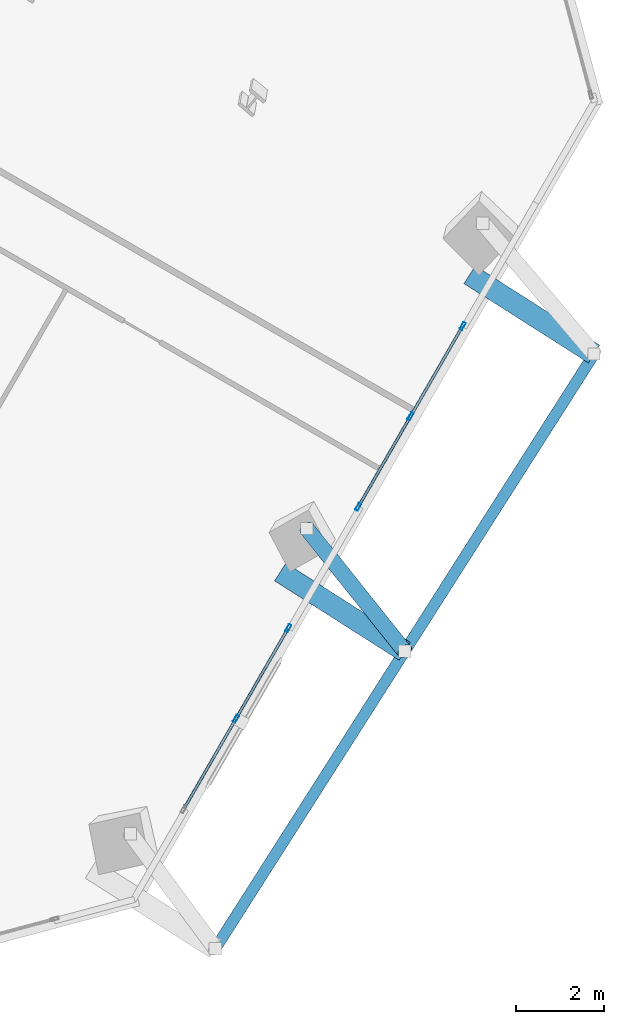
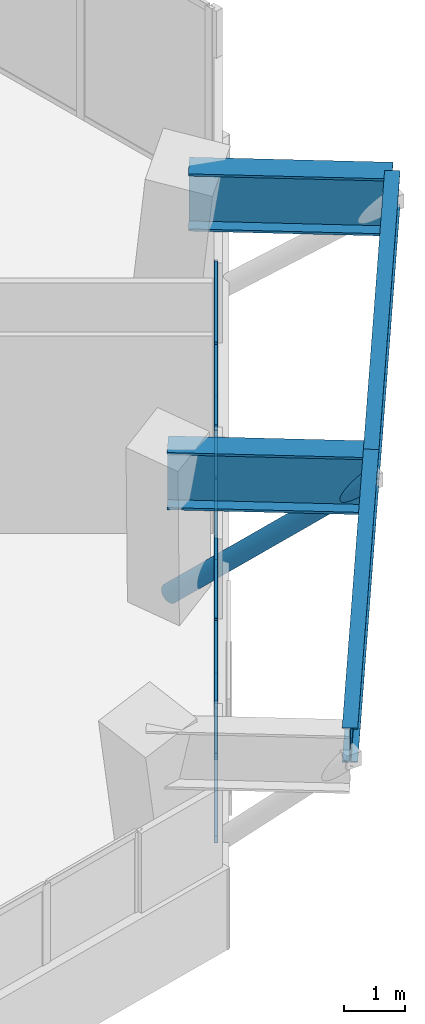
# One storey, part 9 of 22: 14 members, 4 beams, 2 elements without a shape of their own.
"""IFC4 building model written with IfcOpenShell, lengths in metres."""

from ifc_helpers import new_model, si_unit, direction, frame, origin, origin_2d, place, context, subcontext, project, spatial, hollow_rectangle, hollow_circle, i_section, extrude, source, transform, mapped, material, material_profile, profile_set, type_object, element, aggregate, save


model = new_model("IFC4")

# Units and contexts
model_context = context("Model", 3, precision=1e-05, world=origin(), true_north=direction((0.0, 1.0)))
body_context = subcontext(model_context, "Body", "Model", "MODEL_VIEW")
ifc_project = project(units=[si_unit("LENGTHUNIT", "METRE"), si_unit("AREAUNIT", "SQUARE_METRE"), si_unit("VOLUMEUNIT", "CUBIC_METRE"), si_unit("PLANEANGLEUNIT", "RADIAN"), si_unit("MASSUNIT", "GRAM", prefix="KILO")], contexts=[model_context])

# Site, building, storey
site_placement = place(None, origin())
site = spatial("IfcSite", under=ifc_project, at=site_placement, CompositionType="ELEMENT")
building_placement = place(site_placement, origin())
building = spatial("IfcBuilding", under=site, at=building_placement, Name="Torre Montelarca", CompositionType="ELEMENT")
storey_placement = place(building_placement, frame((0.0, 0.0, 183.39990234375)))
storey = spatial("IfcBuildingStorey", under=building, at=storey_placement, Name="L41", CompositionType="ELEMENT", Elevation=183.39990234375)

# Member
ifc_material_1 = material(Name="Steel ASTM A500 Grade C", Category="steel")
ifc_material_profile_1 = material_profile(ifc_material_1, hollow_circle(Radius=0.177734375, WallThickness=0.015869140625, at=origin_2d()), Name="HSS355.6X15.9", Category="steel")
ifc_profile_set_1 = profile_set([ifc_material_profile_1], Name="Steel ASTM A500 Grade C")
member_type_1 = type_object("IfcMemberType", Name="MB-BR-CHS356-EXT", PredefinedType="BRACE", material=ifc_profile_set_1)
shared_shape_1 = source(origin(), body_context, "Body", "SweptSolid", [
    extrude(hollow_circle(Radius=0.177734375, WallThickness=0.015869140625, at=origin_2d()), origin(), (0.0, 0.0, 1.0), 4.81591796875),
])
member_1_placement = place(storey_placement, frame((44.44970703125, 18.75, 0.150146484375), z_axis=(0.462138251593, -0.578990891997, 0.67171257499), x_axis=(0.781562662247, 0.623826742759, 0.0)))
element("IfcMember", 1, at=member_1_placement, inside=storey, type_object=member_type_1, Name="L42 Sliding Tray Exterior Diagonal Raker Strut E2", PredefinedType="BRACE", context=body_context, shape_type="MappedRepresentation", body=[
    mapped(shared_shape_1, transform((0.0, 0.0, 0.0), scale=1.0)),
])

# Beams
ifc_material_2 = material(Name="Steel ASTM A572 Grade 50", Category="steel")
ifc_material_profile_2 = material_profile(ifc_material_2, i_section(OverallWidth=0.47998046875, OverallDepth=1.14990234375, WebThickness=0.02197265625, FlangeThickness=0.044921875, at=origin_2d()), Name="PG1150X480X22X45", Category="steel")
ifc_profile_set_2 = profile_set([ifc_material_profile_2], Name="Steel ASTM A572 Grade 50")
beam_type_1 = type_object("IfcBeamType", Name="BM-CG-PG1400-EXT", PredefinedType="USERDEFINED", material=ifc_profile_set_2)
shared_shape_2 = source(origin(), body_context, "Body", "SweptSolid", [
    extrude(i_section(OverallWidth=0.47998046875, OverallDepth=1.14990234375, WebThickness=0.02197265625, FlangeThickness=0.044921875, at=origin_2d()), origin(), (0.0, 0.0, 1.0), 3.35009765625),
])
for number, where, z_axis, x_axis, name in (
    (2, (43.849853515625, 17.76171875, 3.385009765625), (0.843385307587, -0.537309243311, 0.0), (0.537309243311, 0.843385307587, 0.0), "L41 Sliding Tray Cantilever Girder East Y=32m (FLR)"),
    (3, (48.148193359375, 24.5087890625, 3.385009765625), (0.843385307587, -0.537309243311, 0.0), (0.537309243311, 0.843385307587, 0.0), "L41 Sliding Tray Cantilever Girder East Y=40m (FLR)"),
):
    element("IfcBeam", number, at=place(storey_placement, frame(where, z_axis=z_axis, x_axis=x_axis)), inside=storey, type_object=beam_type_1, Name=name, ObjectType="CANTILEVER GIRDER", PredefinedType="USERDEFINED", context=body_context, shape_type="MappedRepresentation", body=[
        mapped(shared_shape_2, transform((0.0, 0.0, 0.0), scale=1.0)),
    ])
ifc_material_3 = material(Name="Steel ASTM A992 Grade 50", Category="steel")
ifc_material_profile_3 = material_profile(ifc_material_3, i_section(OverallWidth=0.256103515625, OverallDepth=0.693115234375, WebThickness=0.014404296875, FlangeThickness=0.023681640625, FilletRadius=0.01806640625, at=origin_2d()), Name="W690X170", Category="steel")
ifc_profile_set_3 = profile_set([ifc_material_profile_3], Name="Steel ASTM A992 Grade 50")
beam_type_2 = type_object("IfcBeamType", Name="BM-G-W690-EXT", PredefinedType="BEAM", material=ifc_profile_set_3)
shared_shape_3 = source(origin(), body_context, "Body", "SweptSolid", [
    extrude(i_section(OverallWidth=0.256103515625, OverallDepth=0.693115234375, WebThickness=0.014404296875, FlangeThickness=0.023681640625, FilletRadius=0.01806640625, at=origin_2d()), origin(), (0.0, 0.0, 1.0), 8.0),
])
for number, where, z_axis, x_axis, name in (
    (4, (42.376708984375, 9.214599609375, 3.614013671875), (0.537319715065, 0.843378636084, 0.0), (-0.843378636084, 0.537319715065, 0.0), "L41 Sliding Tray Edge Girder East 24-32m (FLR)"),
    (5, (46.67529296875, 15.961669921875, 3.614013671875), (0.537298007891, 0.843392465414, 0.0), (-0.843392465414, 0.537298007891, 0.0), "L41 Sliding Tray Edge Girder East 32-40m (FLR)"),
):
    element("IfcBeam", number, at=place(storey_placement, frame(where, z_axis=z_axis, x_axis=x_axis)), inside=storey, type_object=beam_type_2, Name=name, PredefinedType="BEAM", context=body_context, shape_type="MappedRepresentation", body=[
        mapped(shared_shape_3, transform((0.0, 0.0, 0.0), scale=1.0)),
    ])

# Curtain wall, members
ifc_material_4 = material(Name="Insulated low-E laminated glass", Category="glass")
curtain_wall_type = type_object("IfcCurtainWallType", Name="CW-SYS-Z2", PredefinedType="USERDEFINED", material=ifc_material_4)
curtain_wall_1_placement = place(storey_placement, origin())
curtain_wall_1 = element("IfcCurtainWall", 6, at=curtain_wall_1_placement, inside=storey, type_object=curtain_wall_type, Name="L41 Curtain Wall Run CW-T3-L41-E06-B1", ObjectType="UNITISED GLAZING", PredefinedType="USERDEFINED")
ifc_material_5 = material(Name="Anodised aluminium AA 6063-T6", Category="aluminium")
ifc_material_profile_4 = material_profile(ifc_material_5, hollow_rectangle(XDim=0.06494140625, YDim=0.179931640625, WallThickness=0.00390625, InnerFilletRadius=0.00390625, OuterFilletRadius=0.008056640625, at=origin_2d()), Name="ALU65X180X4", Category="aluminium")
ifc_profile_set_4 = profile_set([ifc_material_profile_4], Name="Anodised aluminium AA 6063-T6")
member_type_2 = type_object("IfcMemberType", Name="CWM-ALU180", PredefinedType="MULLION", material=ifc_profile_set_4)
shared_shape_4 = source(origin(), body_context, "Body", "SweptSolid", [
    extrude(hollow_rectangle(XDim=0.06494140625, YDim=0.179931640625, WallThickness=0.00390625, InnerFilletRadius=0.00390625, OuterFilletRadius=0.008056640625, at=origin_2d()), origin(), (0.0, 0.0, 1.0), 2.775146484375),
])
member_2_placement = place(storey_placement, frame((42.84619140625, 14.432861328125, 0.0), z_axis=(0.0, 0.0, 1.0), x_axis=(-0.866020757794, 0.500008047005, 0.0)))
member_2 = element("IfcMember", 7, at=member_2_placement, type_object=member_type_2, Name="CW mullion 2", PredefinedType="MULLION", context=body_context, shape_type="MappedRepresentation", body=[
    mapped(shared_shape_4, transform((0.0, 0.0, 0.0), scale=1.0)),
])
member_3_placement = place(storey_placement, frame((44.032470703125, 16.487060546875, 0.0), z_axis=(0.0, 0.0, 1.0), x_axis=(-0.866020757794, 0.500008047005, 0.0)))
member_3 = element("IfcMember", 8, at=member_3_placement, type_object=member_type_2, Name="CW mullion 3", PredefinedType="MULLION", context=body_context, shape_type="MappedRepresentation", body=[
    mapped(shared_shape_4, transform((0.0, 0.0, 0.0), scale=1.0)),
])

curtain_wall_2_placement = place(storey_placement, origin())
curtain_wall_2 = element("IfcCurtainWall", 9, at=curtain_wall_2_placement, inside=storey, type_object=curtain_wall_type, Name="L41 Curtain Wall Run CW-T3-L41-E06-B2", ObjectType="UNITISED GLAZING", PredefinedType="USERDEFINED")
member_4_placement = place(storey_placement, frame((45.622802734375, 19.241943359375, 0.0), z_axis=(0.0, 0.0, 1.0), x_axis=(-0.866028820761, 0.499994081576, 0.0)))
member_4 = element("IfcMember", 10, at=member_4_placement, type_object=member_type_2, Name="CW mullion 1", PredefinedType="MULLION", context=body_context, shape_type="MappedRepresentation", body=[
    mapped(shared_shape_4, transform((0.0, 0.0, 0.0), scale=1.0)),
])
member_5_placement = place(storey_placement, frame((46.806884765625, 21.292724609375, 0.0), z_axis=(0.0, 0.0, 1.0), x_axis=(-0.866028820761, 0.499994081576, 0.0)))
member_5 = element("IfcMember", 11, at=member_5_placement, type_object=member_type_2, Name="CW mullion 2", PredefinedType="MULLION", context=body_context, shape_type="MappedRepresentation", body=[
    mapped(shared_shape_4, transform((0.0, 0.0, 0.0), scale=1.0)),
])
member_6_placement = place(storey_placement, frame((47.990966796875, 23.34375, 0.0), z_axis=(0.0, 0.0, 1.0), x_axis=(-0.866028820761, 0.499994081576, 0.0)))
member_6 = element("IfcMember", 12, at=member_6_placement, type_object=member_type_2, Name="CW mullion 3", PredefinedType="MULLION", context=body_context, shape_type="MappedRepresentation", body=[
    mapped(shared_shape_4, transform((0.0, 0.0, 0.0), scale=1.0)),
])

# Member
ifc_material_profile_5 = material_profile(ifc_material_5, hollow_rectangle(XDim=0.06494140625, YDim=0.139892578125, WallThickness=0.00390625, InnerFilletRadius=0.00390625, OuterFilletRadius=0.008056640625, at=origin_2d()), Name="ALU65X140X4", Category="aluminium")
ifc_profile_set_5 = profile_set([ifc_material_profile_5], Name="Anodised aluminium AA 6063-T6")
member_type_3 = type_object("IfcMemberType", Name="CWT-ALU140", PredefinedType="USERDEFINED", material=ifc_profile_set_5)
shared_shape_5 = source(origin(), body_context, "Body", "SweptSolid", [
    extrude(hollow_rectangle(XDim=0.06494140625, YDim=0.139892578125, WallThickness=0.00390625, InnerFilletRadius=0.00390625, OuterFilletRadius=0.008056640625, at=origin_2d()), origin(), (0.0, 0.0, 1.0), 2.30712890625),
])
member_7_placement = place(storey_placement, frame((41.676513671875, 12.40673828125, 0.03271484375), z_axis=(0.499997253739, 0.866026989333, 0.0), x_axis=(-0.866026989333, 0.499997253739, 0.0)))
member_7 = element("IfcMember", 13, at=member_7_placement, type_object=member_type_3, Name="CW transom 1.1", ObjectType="TRANSOM", PredefinedType="USERDEFINED", context=body_context, shape_type="MappedRepresentation", body=[
    mapped(shared_shape_5, transform((0.0, 0.0, 0.0), scale=1.0)),
])

member_8_placement = place(storey_placement, frame((41.676513671875, 12.40673828125, 2.74267578125), z_axis=(0.499997253739, 0.866026989333, 0.0), x_axis=(-0.866026989333, 0.499997253739, 0.0)))
member_8 = element("IfcMember", 14, at=member_8_placement, type_object=member_type_3, Name="CW transom 1.2", ObjectType="TRANSOM", PredefinedType="USERDEFINED", context=body_context, shape_type="MappedRepresentation", body=[
    mapped(shared_shape_5, transform((0.0, 0.0, 0.0), scale=1.0)),
])

member_9_placement = place(storey_placement, frame((42.862548828125, 14.4609375, 0.03271484375), z_axis=(0.499997253739, 0.866026989333, 0.0), x_axis=(-0.866026989333, 0.499997253739, 0.0)))
member_9 = element("IfcMember", 15, at=member_9_placement, type_object=member_type_3, Name="CW transom 2.1", ObjectType="TRANSOM", PredefinedType="USERDEFINED", context=body_context, shape_type="MappedRepresentation", body=[
    mapped(shared_shape_5, transform((0.0, 0.0, 0.0), scale=1.0)),
])

member_10_placement = place(storey_placement, frame((42.862548828125, 14.4609375, 2.74267578125), z_axis=(0.499997253739, 0.866026989333, 0.0), x_axis=(-0.866026989333, 0.499997253739, 0.0)))
member_10 = element("IfcMember", 16, at=member_10_placement, type_object=member_type_3, Name="CW transom 2.2", ObjectType="TRANSOM", PredefinedType="USERDEFINED", context=body_context, shape_type="MappedRepresentation", body=[
    mapped(shared_shape_5, transform((0.0, 0.0, 0.0), scale=1.0)),
])

aggregate(curtain_wall_1, [member_2, member_3, member_7, member_8, member_9, member_10])

shared_shape_6 = source(origin(), body_context, "Body", "SweptSolid", [
    extrude(hollow_rectangle(XDim=0.06494140625, YDim=0.139892578125, WallThickness=0.00390625, InnerFilletRadius=0.00390625, OuterFilletRadius=0.008056640625, at=origin_2d()), origin(), (0.0, 0.0, 1.0), 2.30322265625),
])
member_11_placement = place(storey_placement, frame((45.638916015625, 19.27001953125, 0.03271484375), z_axis=(0.500003839917, 0.866023186796, 0.0), x_axis=(-0.866023186796, 0.500003839917, 0.0)))
member_11 = element("IfcMember", 17, at=member_11_placement, type_object=member_type_3, Name="CW transom 1.1", ObjectType="TRANSOM", PredefinedType="USERDEFINED", context=body_context, shape_type="MappedRepresentation", body=[
    mapped(shared_shape_6, transform((0.0, 0.0, 0.0), scale=1.0)),
])

member_12_placement = place(storey_placement, frame((45.638916015625, 19.27001953125, 2.74267578125), z_axis=(0.500003839917, 0.866023186796, 0.0), x_axis=(-0.866023186796, 0.500003839917, 0.0)))
member_12 = element("IfcMember", 18, at=member_12_placement, type_object=member_type_3, Name="CW transom 1.2", ObjectType="TRANSOM", PredefinedType="USERDEFINED", context=body_context, shape_type="MappedRepresentation", body=[
    mapped(shared_shape_6, transform((0.0, 0.0, 0.0), scale=1.0)),
])

member_13_placement = place(storey_placement, frame((46.822998046875, 21.321044921875, 0.03271484375), z_axis=(0.500003839917, 0.866023186796, 0.0), x_axis=(-0.866023186796, 0.500003839917, 0.0)))
member_13 = element("IfcMember", 19, at=member_13_placement, type_object=member_type_3, Name="CW transom 2.1", ObjectType="TRANSOM", PredefinedType="USERDEFINED", context=body_context, shape_type="MappedRepresentation", body=[
    mapped(shared_shape_6, transform((0.0, 0.0, 0.0), scale=1.0)),
])

member_14_placement = place(storey_placement, frame((46.822998046875, 21.321044921875, 2.74267578125), z_axis=(0.500003839917, 0.866023186796, 0.0), x_axis=(-0.866023186796, 0.500003839917, 0.0)))
member_14 = element("IfcMember", 20, at=member_14_placement, type_object=member_type_3, Name="CW transom 2.2", ObjectType="TRANSOM", PredefinedType="USERDEFINED", context=body_context, shape_type="MappedRepresentation", body=[
    mapped(shared_shape_6, transform((0.0, 0.0, 0.0), scale=1.0)),
])

aggregate(curtain_wall_2, [member_4, member_5, member_6, member_11, member_12, member_13, member_14])

save(model, "model.ifc")
